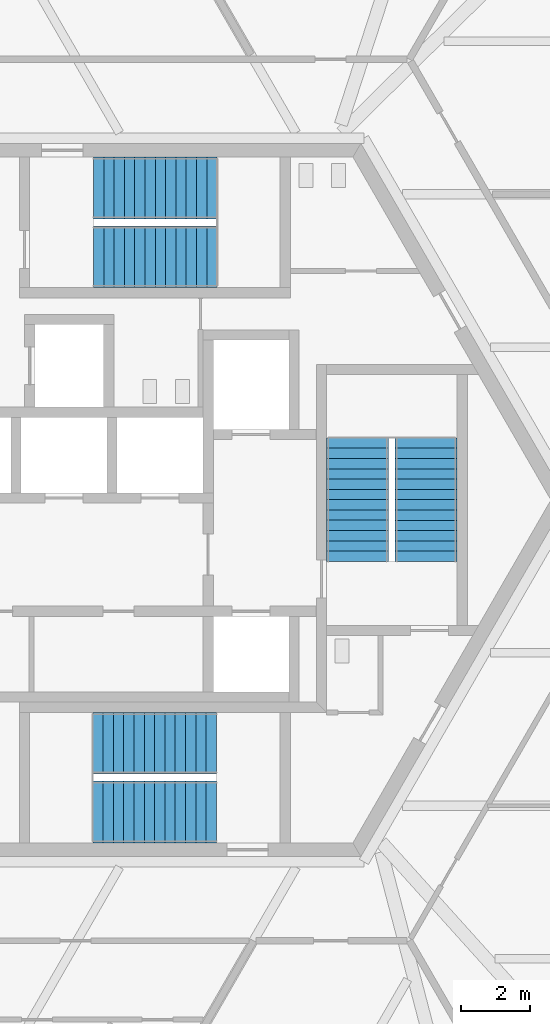
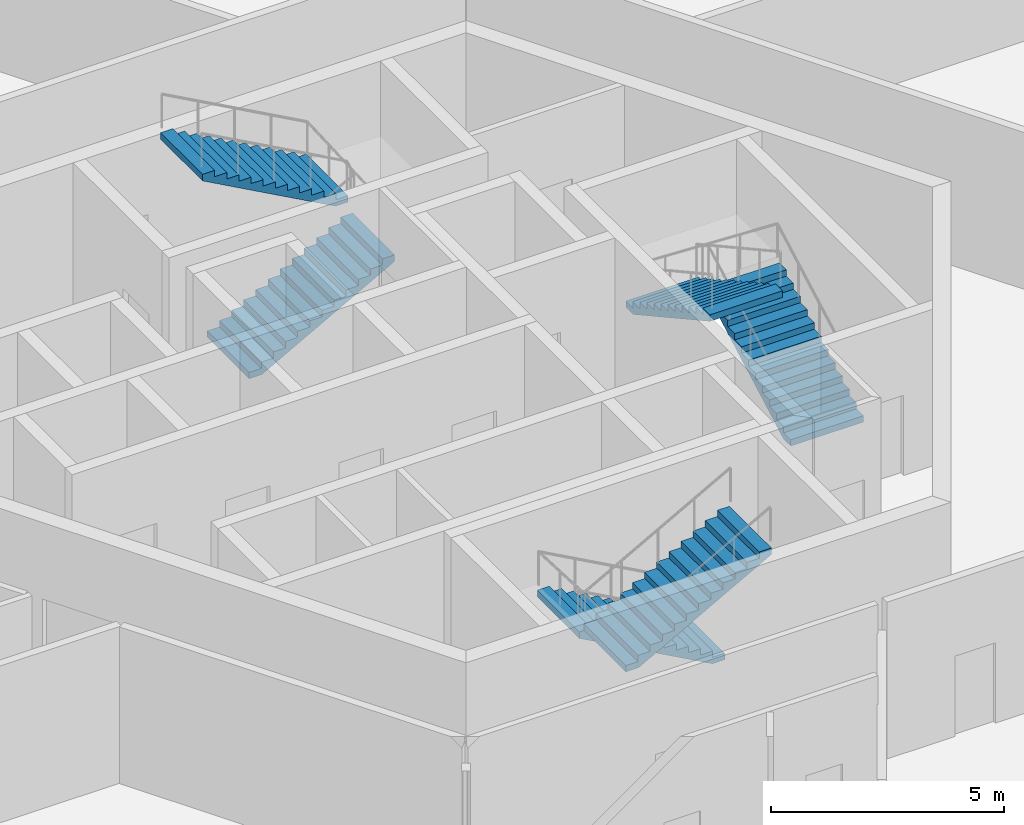
# One storey, part 13 of 18: 6 stair flights, 3 elements without a shape of their own.
"""IFC4 building model written with IfcOpenShell, lengths in metres."""

from ifc_helpers import new_model, si_unit, direction, frame, origin, place, context, subcontext, project, spatial, polyline, outline, extrude, source, transform, mapped, material, type_object, element, aggregate, save


model = new_model("IFC4")

# Units and contexts
model_context = context("Model", 3, precision=1e-05, world=origin(), true_north=direction((0.0, 1.0)))
body_context = subcontext(model_context, "Body", "Model", "MODEL_VIEW")
ifc_project = project(units=[si_unit("LENGTHUNIT", "METRE"), si_unit("AREAUNIT", "SQUARE_METRE"), si_unit("VOLUMEUNIT", "CUBIC_METRE"), si_unit("PLANEANGLEUNIT", "RADIAN"), si_unit("MASSUNIT", "GRAM", prefix="KILO")], contexts=[model_context])

# Site, building, storey
site_placement = place(None, origin())
site = spatial("IfcSite", under=ifc_project, at=site_placement, CompositionType="ELEMENT")
building_placement = place(site_placement, origin())
building = spatial("IfcBuilding", under=site, at=building_placement, Name="Triune Harvest Tower", CompositionType="ELEMENT")
storey_placement = place(building_placement, frame((0.0, 0.0, 33.199951171875)))
storey = spatial("IfcBuildingStorey", under=building, at=storey_placement, Name="L07", CompositionType="ELEMENT", Elevation=33.199951171875)

# Stair, stair flights
ifc_material_1 = material(Name="Concrete 40 MPa", Category="concrete")
stair_type = type_object("IfcStairType", Name="Exit stair 1800 half turn", PredefinedType="HALF_TURN_STAIR", material=ifc_material_1)
stair_1_placement = place(storey_placement, origin())
stair_1 = element("IfcStair", 1, at=stair_1_placement, inside=storey, type_object=stair_type, Name="Exit stair north", PredefinedType="HALF_TURN_STAIR")
ifc_material_2 = material(Name="Concrete 40 MPa", Category="concrete")
stair_flight_type = type_object("IfcStairFlightType", Name="Stair flight 1800", PredefinedType="STRAIGHT", material=ifc_material_2)
shared_shape = source(origin(), body_context, "Body", "SweptSolid", [
    extrude(outline(polyline([(0.0, 0.0), (0.0, 0.165283203125), (0.300048828125, 0.165283203125), (0.300048828125, 0.330810546875), (0.60009765625, 0.330810546875), (0.60009765625, 0.49609375), (0.89990234375, 0.49609375), (0.89990234375, 0.66162109375), (1.199951171875, 0.66162109375), (1.199951171875, 0.826904296875), (1.5, 0.826904296875), (1.5, 0.9921875), (1.800048828125, 0.9921875), (1.800048828125, 1.15771484375), (2.10009765625, 1.15771484375), (2.10009765625, 1.322998046875), (2.39990234375, 1.322998046875), (2.39990234375, 1.488525390625), (2.699951171875, 1.488525390625), (2.699951171875, 1.65380859375), (3.0, 1.65380859375), (3.0, 1.819091796875), (3.300048828125, 1.819091796875), (3.300048828125, 1.984619140625), (3.60009765625, 1.984619140625), (3.60009765625, 2.14990234375), (3.60009765625, 1.8134765625), (0.310546875, 0.0), (0.0, 0.0)])), frame((0.0, 0.89990234375, 0.0), z_axis=(0.0, -1.0, 0.0), x_axis=(1.0, 0.0, 0.0)), (0.0, 0.0, 1.0), 1.800048828125),
])
stair_flight_1_placement = place(storey_placement, frame((-1.7900390625, 7.090087890625, 0.0), z_axis=(0.0, 0.0, 1.0), x_axis=(1.0, 0.0, 0.0)))
stair_flight_1 = element("IfcStairFlight", 2, at=stair_flight_1_placement, type_object=stair_flight_type, Name="ST-1 flight 1", NumberOfRisers=13, NumberOfTreads=12, PredefinedType="STRAIGHT", RiserHeight=0.16538, TreadLength=0.3, context=body_context, shape_type="MappedRepresentation", body=[
    mapped(shared_shape, transform((0.0, 0.0, 0.0), scale=1.0)),
])
stair_flight_2_placement = place(storey_placement, frame((1.81005859375, 9.090087890625, 2.150146484375), z_axis=(0.0, 0.0, 1.0), x_axis=(-1.0, 0.0, 0.0)))
stair_flight_2 = element("IfcStairFlight", 3, at=stair_flight_2_placement, type_object=stair_flight_type, Name="ST-1 flight 2", NumberOfRisers=13, NumberOfTreads=12, PredefinedType="STRAIGHT", RiserHeight=0.16538, TreadLength=0.3, context=body_context, shape_type="MappedRepresentation", body=[
    mapped(shared_shape, transform((0.0, 0.0, 0.0), scale=1.0)),
])
aggregate(stair_1, [stair_flight_1, stair_flight_2])

stair_2_placement = place(storey_placement, origin())
stair_2 = element("IfcStair", 4, at=stair_2_placement, inside=storey, type_object=stair_type, Name="Exit stair south", PredefinedType="HALF_TURN_STAIR")
stair_flight_3_placement = place(storey_placement, frame((1.7900390625, -7.090087890625, 0.0), z_axis=(0.0, 0.0, 1.0), x_axis=(-1.0, 0.0, 0.0)))
stair_flight_3 = element("IfcStairFlight", 5, at=stair_flight_3_placement, type_object=stair_flight_type, Name="ST-2 flight 1", NumberOfRisers=13, NumberOfTreads=12, PredefinedType="STRAIGHT", RiserHeight=0.16538, TreadLength=0.3, context=body_context, shape_type="MappedRepresentation", body=[
    mapped(shared_shape, transform((0.0, 0.0, 0.0), scale=1.0)),
])
stair_flight_4_placement = place(storey_placement, frame((-1.81005859375, -9.090087890625, 2.150146484375), z_axis=(0.0, 0.0, 1.0), x_axis=(1.0, 0.0, 0.0)))
stair_flight_4 = element("IfcStairFlight", 6, at=stair_flight_4_placement, type_object=stair_flight_type, Name="ST-2 flight 2", NumberOfRisers=13, NumberOfTreads=12, PredefinedType="STRAIGHT", RiserHeight=0.16538, TreadLength=0.3, context=body_context, shape_type="MappedRepresentation", body=[
    mapped(shared_shape, transform((0.0, 0.0, 0.0), scale=1.0)),
])
aggregate(stair_2, [stair_flight_3, stair_flight_4])

stair_3_placement = place(storey_placement, origin())
stair_3 = element("IfcStair", 7, at=stair_3_placement, inside=storey, type_object=stair_type, Name="Exit stair east", PredefinedType="HALF_TURN_STAIR")
stair_flight_5_placement = place(storey_placement, frame((7.89990234375, -1.7900390625, 0.0), z_axis=(0.0, 0.0, 1.0), x_axis=(0.0, 1.0, 0.0)))
stair_flight_5 = element("IfcStairFlight", 8, at=stair_flight_5_placement, type_object=stair_flight_type, Name="ST-3 flight 1", NumberOfRisers=13, NumberOfTreads=12, PredefinedType="STRAIGHT", RiserHeight=0.16538, TreadLength=0.3, context=body_context, shape_type="MappedRepresentation", body=[
    mapped(shared_shape, transform((0.0, 0.0, 0.0), scale=1.0)),
])
stair_flight_6_placement = place(storey_placement, frame((5.89990234375, 1.81005859375, 2.150146484375), z_axis=(0.0, 0.0, 1.0), x_axis=(0.0, -1.0, 0.0)))
stair_flight_6 = element("IfcStairFlight", 9, at=stair_flight_6_placement, type_object=stair_flight_type, Name="ST-3 flight 2", NumberOfRisers=13, NumberOfTreads=12, PredefinedType="STRAIGHT", RiserHeight=0.16538, TreadLength=0.3, context=body_context, shape_type="MappedRepresentation", body=[
    mapped(shared_shape, transform((0.0, 0.0, 0.0), scale=1.0)),
])
aggregate(stair_3, [stair_flight_5, stair_flight_6])

save(model, "model.ifc")
